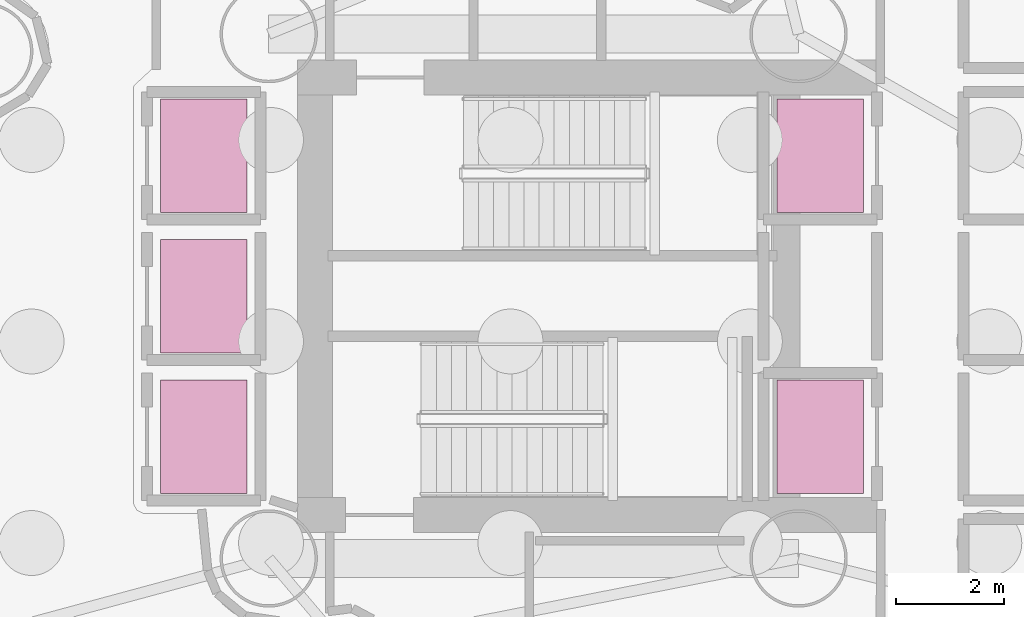
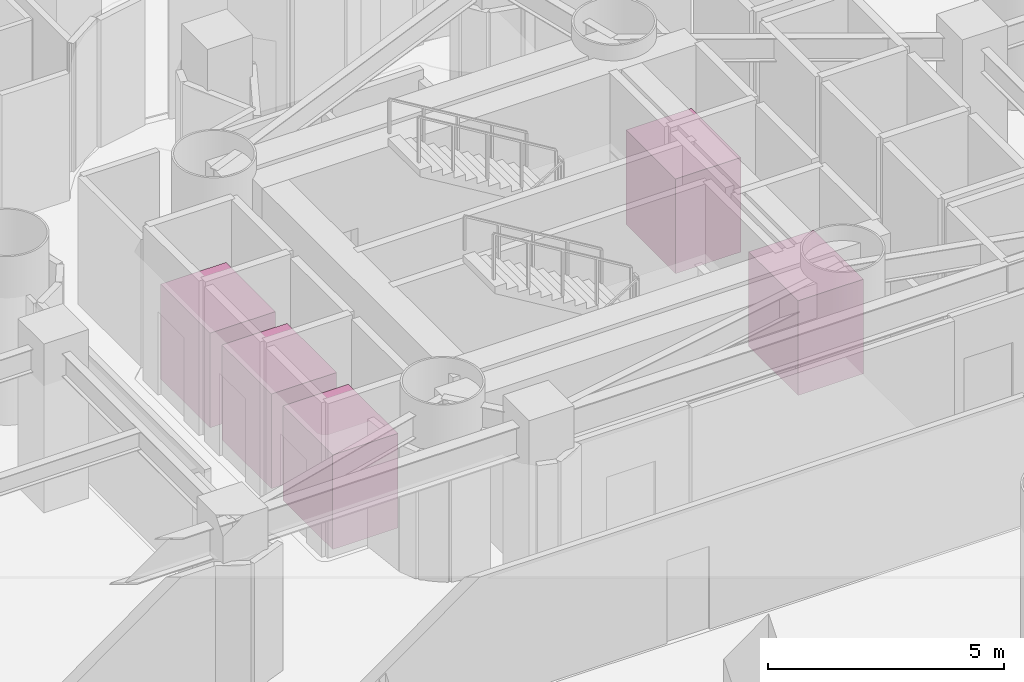
# One storey, part 13 of 13: 5 transport elements.
"""IFC4 building model written with IfcOpenShell, lengths in metres."""

import ifcopenshell
import ifcopenshell.guid

model = None  # the IFC model being written
_history = None  # IfcOwnerHistory: only IFC2X3 demands one
_inside = {}  # id of a spatial element -> (the spatial element, [elements in it])
_under = {}  # id of a project, library or spatial element -> (it, [spatial elements below it])
_declared = {}  # id of a project -> (the project, [libraries it declares])
_typed = {}  # id of a type object -> (the type object, [elements of that type])
_made_of = {}  # id of a material, layer set ... -> (it, [elements and type objects made of it])


def new_model(schema):
    """Start an empty IFC model of exactly this schema.

    Asked for "IFC4X3", IfcOpenShell would pick the latest addendum, in which some entities
    have other attributes; the version numbers below select the first issue.
    IFC2X3 requires an IfcOwnerHistory on every rooted entity: one is made here for all.
    """
    global model, _history
    if schema == "IFC4X3":
        model = ifcopenshell.file(schema_version=(4, 3, 0, 0))
    else:
        model = ifcopenshell.file(schema=schema)
    _inside.clear()
    _under.clear()
    _declared.clear()
    _typed.clear()
    _made_of.clear()
    _history = None
    if model.schema == "IFC2X3":
        org = make("IfcOrganization", Name="unknown")
        user = make(
            "IfcPersonAndOrganization",
            ThePerson=make("IfcPerson", FamilyName="unknown"),
            TheOrganization=org,
        )
        app = make(
            "IfcApplication",
            ApplicationDeveloper=org,
            Version="unknown",
            ApplicationFullName="unknown",
            ApplicationIdentifier="unknown",
        )
        _history = make(
            "IfcOwnerHistory",
            OwningUser=user,
            OwningApplication=app,
            ChangeAction="ADDED",
            CreationDate=0,
        )
    return model


def make(cls, **values):
    """One entity of the class cls with the attributes given. An attribute that is None is left unset."""
    return model.create_entity(
        cls, **{name: value for name, value in values.items() if value is not None}
    )


def rooted(cls, **values):
    """An entity with a GlobalId (a new one), such as an element, a storey or a relation."""
    return make(cls, GlobalId=ifcopenshell.guid.new(), OwnerHistory=_history, **values)


def si_unit(unit_type, name, prefix=None):
    """IfcSIUnit, for example si_unit("LENGTHUNIT", "METRE", prefix="MILLI")."""
    return make("IfcSIUnit", UnitType=unit_type, Prefix=prefix, Name=name)


def assignment(units):
    """IfcUnitAssignment: the units of a project."""
    return None if units is None else make("IfcUnitAssignment", Units=units)


def point(xyz):
    """IfcCartesianPoint."""
    return None if xyz is None else make("IfcCartesianPoint", Coordinates=xyz)


def direction(xyz):
    """IfcDirection."""
    return None if xyz is None else make("IfcDirection", DirectionRatios=xyz)


def frame(location, z_axis=None, x_axis=None):
    """IfcAxis2Placement3D, a coordinate frame: its origin and axes. An axis left out is left unset."""
    return make(
        "IfcAxis2Placement3D",
        Location=point(location),
        Axis=direction(z_axis),
        RefDirection=direction(x_axis),
    )


def frame_2d(location, x_axis=None):
    """IfcAxis2Placement2D, a coordinate frame in the plane: its origin and x axis."""
    return make(
        "IfcAxis2Placement2D", Location=point(location), RefDirection=direction(x_axis)
    )


def origin():
    """The frame at (0, 0, 0) with its axes left unset."""
    return frame((0.0, 0.0, 0.0))


def origin_2d():
    """The frame at (0, 0) in the plane with its x axis left unset."""
    return frame_2d((0.0, 0.0))


def place(relative_to, where):
    """IfcLocalPlacement: puts the frame where relative to a parent placement (None: the world)."""
    return make(
        "IfcLocalPlacement", PlacementRelTo=relative_to, RelativePlacement=where
    )


def context(
    kind, dimensions, precision=None, world=None, true_north=None, identifier=None
):
    """IfcGeometricRepresentationContext, for example the 3D "Model" context."""
    return make(
        "IfcGeometricRepresentationContext",
        ContextIdentifier=identifier,
        ContextType=kind,
        CoordinateSpaceDimension=dimensions,
        Precision=precision,
        WorldCoordinateSystem=world,
        TrueNorth=true_north,
    )


def subcontext(parent, identifier, kind, view, scale=None):
    """IfcGeometricRepresentationSubContext, for example "Body" below "Model"."""
    return make(
        "IfcGeometricRepresentationSubContext",
        ContextIdentifier=identifier,
        ContextType=kind,
        ParentContext=parent,
        TargetScale=scale,
        TargetView=view,
    )


def project(units=None, contexts=None):
    """IfcProject with its units and contexts."""
    return rooted(
        "IfcProject",
        Name="project",
        RepresentationContexts=contexts,
        UnitsInContext=assignment(units),
    )


def spatial(cls, under=None, at=None, **own):
    """A site, building, storey or space (cls), placed at a placement, below another one or the project."""
    s = rooted(cls, ObjectPlacement=at, **own)
    if under is not None:
        _under.setdefault(under.id(), (under, []))[1].append(s)
    return s


def profile(cls, at=None, kind="AREA", **sizes):
    """A parametric profile (cls). Its sizes go by their IFC names, for example OverallWidth=200.0."""
    return make(cls, ProfileType=kind, Position=at, **sizes)


def rectangle(**sizes):
    """IfcRectangleProfileDef."""
    return profile("IfcRectangleProfileDef", **sizes)


def extrude(swept, where, along, depth):
    """IfcExtrudedAreaSolid: the profile swept, set in the frame where, extruded along a direction by depth."""
    return make(
        "IfcExtrudedAreaSolid",
        SweptArea=swept,
        Position=where,
        ExtrudedDirection=direction(along),
        Depth=depth,
    )


def shape(context_of_items, identifier, shape_type, items):
    """IfcShapeRepresentation: the items that make up one representation, for example the "Body"."""
    return make(
        "IfcShapeRepresentation",
        ContextOfItems=context_of_items,
        RepresentationIdentifier=identifier,
        RepresentationType=shape_type,
        Items=items,
    )


def material(Name=None, Category=None):
    """IfcMaterial."""
    return make("IfcMaterial", Name=Name, Category=Category)


def made_of(thing, what):
    """Note that an element or type object is made of a material, layer set ...; save() writes the relation."""
    if what is not None:
        _made_of.setdefault(what.id(), (what, []))[1].append(thing)
    return thing


def type_object(cls, material=None, **own):
    """A type object (cls), such as IfcWallType, which elements share."""
    return made_of(rooted(cls, **own), material)


def element(
    cls,
    number,
    at=None,
    inside=None,
    cuts=None,
    type_object=None,
    material=None,
    context=None,
    identifier="Body",
    shape_type=None,
    held_by="IfcProductDefinitionShape",
    body=None,
    shapes=None,
    **own,
):
    """One element of the class cls, such as IfcWall. Its Tag is "e" and its number.

    at: its placement. inside: the storey or other place that contains it. cuts: it is an
    opening in that element (IfcRelVoidsElement). A single representation is given by context,
    identifier, shape_type and body (its items); several are given by shapes. held_by: the class
    of the entity that holds the representations. save() writes the other relations.
    """
    e = rooted(cls, Tag="e%d" % number, ObjectPlacement=at, **own)
    if body is not None:
        shapes = [shape(context, identifier, shape_type, body)]
    if shapes is not None:
        e.Representation = make(held_by, Representations=shapes)
    if inside is not None:
        _inside.setdefault(inside.id(), (inside, []))[1].append(e)
    if cuts is not None:
        rooted(
            "IfcRelVoidsElement", RelatingBuildingElement=cuts, RelatedOpeningElement=e
        )
    if type_object is not None:
        _typed.setdefault(type_object.id(), (type_object, []))[1].append(e)
    return made_of(e, material)


def aggregate(whole, parts):
    """IfcRelAggregates: a whole, such as a stair, and the parts it consists of."""
    return rooted("IfcRelAggregates", RelatingObject=whole, RelatedObjects=parts)


def save(model, path):
    """Write the relations noted so far, then the file.

    IfcRelAggregates (storeys below a building ...), IfcRelContainedInSpatialStructure (elements
    in a storey), IfcRelDefinesByType, IfcRelAssociatesMaterial and IfcRelDeclares: one each for
    every whole, place, type object, material and project.
    """
    for whole, parts in _under.values():
        aggregate(whole, parts)
    for where, things in _inside.values():
        rooted(
            "IfcRelContainedInSpatialStructure",
            RelatedElements=things,
            RelatingStructure=where,
        )
    for kind, things in _typed.values():
        rooted("IfcRelDefinesByType", RelatedObjects=things, RelatingType=kind)
    for what, things in _made_of.values():
        rooted("IfcRelAssociatesMaterial", RelatedObjects=things, RelatingMaterial=what)
    for by, libraries in _declared.values():
        rooted("IfcRelDeclares", RelatingContext=by, RelatedDefinitions=libraries)
    model.write(path)


model = new_model("IFC4")

# Units and contexts
model_context = context("Model", 3, precision=1e-05, world=origin(), true_north=direction((0.0, 1.0)))
body_context = subcontext(model_context, "Body", "Model", "MODEL_VIEW")
ifc_project = project(units=[si_unit("LENGTHUNIT", "METRE"), si_unit("AREAUNIT", "SQUARE_METRE"), si_unit("VOLUMEUNIT", "CUBIC_METRE"), si_unit("PLANEANGLEUNIT", "RADIAN"), si_unit("MASSUNIT", "GRAM", prefix="KILO")], contexts=[model_context])

# Site, building, storey
site_placement = place(None, origin())
site = spatial("IfcSite", under=ifc_project, at=site_placement, CompositionType="ELEMENT")
building_placement = place(site_placement, origin())
building = spatial("IfcBuilding", under=site, at=building_placement, Name="Qianvela Tower", CompositionType="ELEMENT")
storey_placement = place(building_placement, frame((0.0, 0.0, -10.0)))
storey = spatial("IfcBuildingStorey", under=building, at=storey_placement, Name="B02", CompositionType="ELEMENT", Elevation=-10.0)

# Transport elements
ifc_material_1 = material(Name="Brushed Stainless Steel 304 Fire Lift Car", Category="steel")
transport_element_type_1 = type_object("IfcTransportElementType", Name="LIFT-FIRE-1600", PredefinedType="ELEVATOR", material=ifc_material_1)
for number, where, z_axis, x_axis, name in (
    (1, (38.800048828125, 31.300048828125, 0.0), (0.0, 0.0, 1.0), (1.0, 0.0, 0.0), "Firefighting Lift FL-1"),
    (2, (38.800048828125, 26.10009765625, 0.0), (0.0, 0.0, 1.0), (1.0, 0.0, 0.0), "Firefighting Lift FL-2"),
):
    element("IfcTransportElement", number, at=place(storey_placement, frame(where, z_axis=z_axis, x_axis=x_axis)), inside=storey, type_object=transport_element_type_1, Name=name, PredefinedType="ELEVATOR", context=body_context, shape_type="SweptSolid", body=[
        extrude(rectangle(XDim=1.60009765625, YDim=2.10009765625, at=origin_2d()), origin(), (0.0, 0.0, 1.0), 2.449951171875),
    ])
ifc_material_2 = material(Name="Brushed Stainless Steel and Laminated Glass Lift Car", Category="steel")
transport_element_type_2 = type_object("IfcTransportElementType", Name="LIFT-PASS-1600", PredefinedType="ELEVATOR", material=ifc_material_2)
for number, where, z_axis, x_axis, name in (
    (3, (27.39990234375, 31.300048828125, 0.0), (0.0, 0.0, 1.0), (1.0, 0.0, 0.0), "Passenger Lift PL-L1"),
    (4, (27.39990234375, 28.699951171875, 0.0), (0.0, 0.0, 1.0), (1.0, 0.0, 0.0), "Passenger Lift PL-L2"),
    (5, (27.39990234375, 26.10009765625, 0.0), (0.0, 0.0, 1.0), (1.0, 0.0, 0.0), "Passenger Lift PL-L3"),
):
    element("IfcTransportElement", number, at=place(storey_placement, frame(where, z_axis=z_axis, x_axis=x_axis)), inside=storey, type_object=transport_element_type_2, Name=name, PredefinedType="ELEVATOR", context=body_context, shape_type="SweptSolid", body=[
        extrude(rectangle(XDim=1.60009765625, YDim=2.10009765625, at=origin_2d()), origin(), (0.0, 0.0, 1.0), 2.449951171875),
    ])

save(model, "model.ifc")
